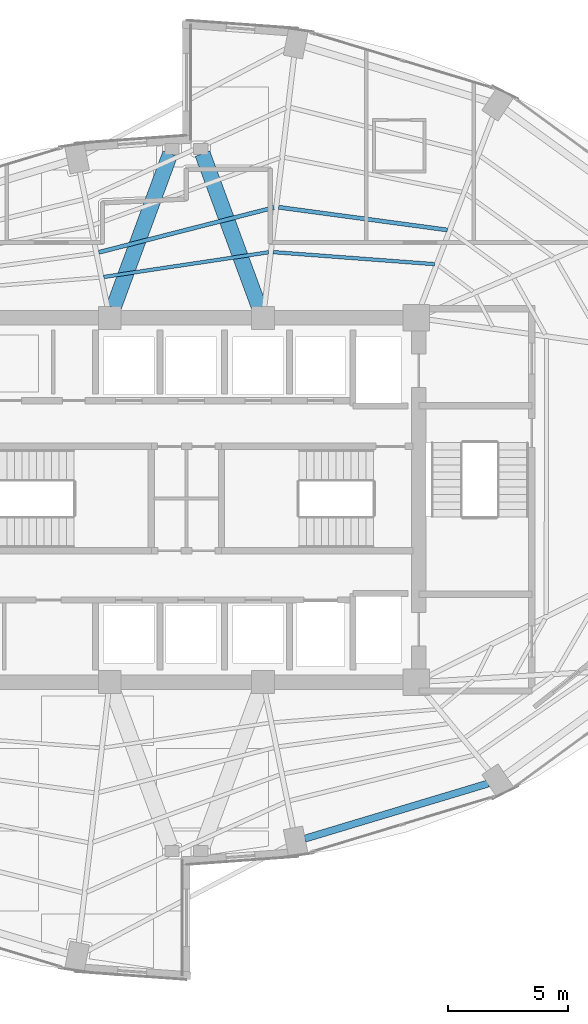
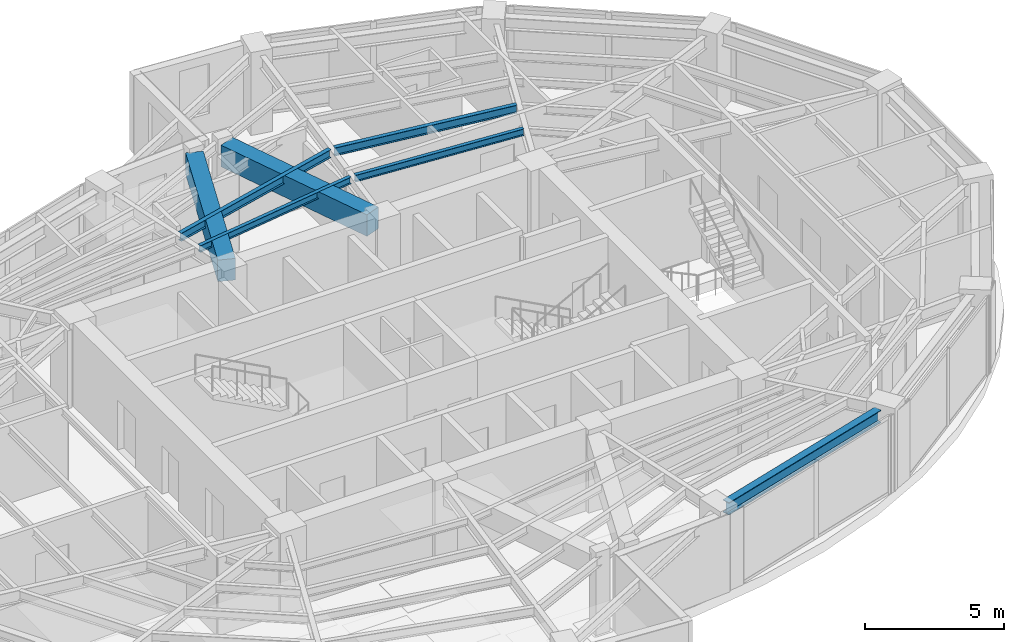
# One storey, part 8 of 20: 7 beams.
"""IFC4 building model written with IfcOpenShell, lengths in metres."""

from ifc_helpers import new_model, si_unit, direction, frame, origin, origin_2d, place, context, subcontext, project, spatial, rectangle, i_section, extrude, material, material_profile, profile_set, type_object, element, save


model = new_model("IFC4")

# Units and contexts
model_context = context("Model", 3, precision=1e-05, world=origin(), true_north=direction((0.0, 1.0)))
body_context = subcontext(model_context, "Body", "Model", "MODEL_VIEW")
ifc_project = project(units=[si_unit("LENGTHUNIT", "METRE"), si_unit("AREAUNIT", "SQUARE_METRE"), si_unit("VOLUMEUNIT", "CUBIC_METRE"), si_unit("PLANEANGLEUNIT", "RADIAN"), si_unit("MASSUNIT", "GRAM", prefix="KILO")], contexts=[model_context])

# Site, building, storey
site_placement = place(None, origin())
site = spatial("IfcSite", under=ifc_project, at=site_placement, CompositionType="ELEMENT")
building_placement = place(site_placement, origin())
building = spatial("IfcBuilding", under=site, at=building_placement, Name="Lazwardi Medical Tower", CompositionType="ELEMENT")
storey_placement = place(building_placement, frame((0.0, 0.0, 138.2880859375)))
storey = spatial("IfcBuildingStorey", under=building, at=storey_placement, Name="L35", CompositionType="ELEMENT", Elevation=138.2880859375)

# Beams
ifc_material_1 = material(Name="Concrete C60/75", Category="concrete")
ifc_material_profile_1 = material_profile(ifc_material_1, rectangle(XDim=0.64990234375, YDim=0.949951171875, at=origin_2d()), Name="RC 650x950")
ifc_profile_set_1 = profile_set([ifc_material_profile_1], Name="Concrete C60/75")
beam_type_1 = type_object("IfcBeamType", Name="BM-CB-RC2", PredefinedType="LINTEL", material=ifc_profile_set_1)
for number, where, z_axis, x_axis, name in (
    (1, (32.959228515625, 36.031494140625, 2.952880859375), (0.34601281054, 0.938229787921, 0.0), (-0.938229787921, 0.34601281054, 0.0), "Core coupling lintel CB-02 PL1 L35"),
    (2, (39.040771484375, 36.031494140625, 2.952880859375), (-0.34601281054, 0.938229787921, 0.0), (-0.938229787921, -0.34601281054, 0.0), "Core coupling lintel CB-02 PL2 L35"),
):
    element("IfcBeam", number, at=place(storey_placement, frame(where, z_axis=z_axis, x_axis=x_axis)), inside=storey, type_object=beam_type_1, Name=name, PredefinedType="LINTEL", context=body_context, shape_type="SweptSolid", body=[
        extrude(rectangle(XDim=0.64990234375, YDim=0.949951171875, at=origin_2d()), origin(), (0.0, 0.0, 1.0), 6.84423828125),
    ])
ifc_material_2 = material(Name="Steel S355", Category="steel")
ifc_material_profile_2 = material_profile(ifc_material_2, i_section(OverallWidth=0.300048828125, OverallDepth=0.550048828125, WebThickness=0.014892578125, FlangeThickness=0.029052734375, at=origin_2d()), Name="HEB 550")
ifc_profile_set_2 = profile_set([ifc_material_profile_2], Name="Steel S355")
beam_type_2 = type_object("IfcBeamType", Name="BM-RB-Z3", PredefinedType="BEAM", material=ifc_profile_set_2)
beam_1_placement = place(storey_placement, frame((40.943115234375, 13.866455078125, 3.15283203125), z_axis=(0.957616873483, 0.288045002771, 0.0), x_axis=(-0.288045002771, 0.957616873483, 0.0)))
element("IfcBeam", 3, at=beam_1_placement, inside=storey, type_object=beam_type_2, Name="Ring beam RB-04 B01 L35", PredefinedType="BEAM", context=body_context, shape_type="SweptSolid", body=[
    extrude(i_section(OverallWidth=0.300048828125, OverallDepth=0.550048828125, WebThickness=0.014892578125, FlangeThickness=0.029052734375, at=origin_2d()), origin(), (0.0, 0.0, 1.0), 7.99951171875),
])
ifc_material_profile_3 = material_profile(ifc_material_2, i_section(OverallWidth=0.169921875, OverallDepth=0.360107421875, WebThickness=0.008056640625, FlangeThickness=0.0126953125, at=origin_2d()), Name="IPE 360")
ifc_profile_set_3 = profile_set([ifc_material_profile_3], Name="Steel S355")
beam_type_3 = type_object("IfcBeamType", Name="BM-SJ-02", PredefinedType="JOIST", material=ifc_profile_set_3)
beam_2_placement = place(storey_placement, frame((46.889892578125, 39.269775390625, 3.247802734375), z_axis=(-0.991056291961, 0.133444468468, 0.0), x_axis=(-0.133444468468, -0.991056291961, 0.0)))
element("IfcBeam", 4, at=beam_2_placement, inside=storey, type_object=beam_type_3, Name="Secondary joist SJ-02 R3 B07 L35", PredefinedType="JOIST", context=body_context, shape_type="SweptSolid", body=[
    extrude(i_section(OverallWidth=0.169921875, OverallDepth=0.360107421875, WebThickness=0.008056640625, FlangeThickness=0.0126953125, at=origin_2d()), origin(), (0.0, 0.0, 1.0), 7.10400390625),
])
beam_3_placement = place(storey_placement, frame((39.6533203125, 40.206298828125, 3.247802734375), z_axis=(-0.96877632572, -0.247936344097, 0.0), x_axis=(0.247936344097, -0.96877632572, 0.0)))
element("IfcBeam", 5, at=beam_3_placement, inside=storey, type_object=beam_type_3, Name="Secondary joist SJ-02 R3 B08 L35", PredefinedType="JOIST", context=body_context, shape_type="SweptSolid", body=[
    extrude(i_section(OverallWidth=0.169921875, OverallDepth=0.360107421875, WebThickness=0.008056640625, FlangeThickness=0.0126953125, at=origin_2d()), origin(), (0.0, 0.0, 1.0), 7.546630859375),
])
ifc_material_profile_4 = material_profile(ifc_material_2, i_section(OverallWidth=0.14990234375, OverallDepth=0.300048828125, WebThickness=0.007080078125, FlangeThickness=0.0107421875, at=origin_2d()), Name="IPE 300")
ifc_profile_set_4 = profile_set([ifc_material_profile_4], Name="Steel S355")
beam_type_4 = type_object("IfcBeamType", Name="BM-SJ-03", PredefinedType="JOIST", material=ifc_profile_set_4)
beam_4_placement = place(storey_placement, frame((46.349609375, 37.843505859375, 3.27783203125), z_axis=(-0.99722699261, 0.074419924822, 0.0), x_axis=(-0.074419924822, -0.99722699261, 0.0)))
element("IfcBeam", 6, at=beam_4_placement, inside=storey, type_object=beam_type_4, Name="Secondary joist SJ-03 R4 B07 L35", PredefinedType="JOIST", context=body_context, shape_type="SweptSolid", body=[
    extrude(i_section(OverallWidth=0.14990234375, OverallDepth=0.300048828125, WebThickness=0.007080078125, FlangeThickness=0.0107421875, at=origin_2d()), origin(), (0.0, 0.0, 1.0), 6.74169921875),
])
beam_5_placement = place(storey_placement, frame((39.42822265625, 38.337890625, 3.27783203125), z_axis=(-0.98897469849, -0.148084589835, 0.0), x_axis=(0.148084589835, -0.98897469849, 0.0)))
element("IfcBeam", 7, at=beam_5_placement, inside=storey, type_object=beam_type_4, Name="Secondary joist SJ-03 R4 B08 L35", PredefinedType="JOIST", context=body_context, shape_type="SweptSolid", body=[
    extrude(i_section(OverallWidth=0.14990234375, OverallDepth=0.300048828125, WebThickness=0.007080078125, FlangeThickness=0.0107421875, at=origin_2d()), origin(), (0.0, 0.0, 1.0), 6.952392578125),
])

save(model, "model.ifc")
